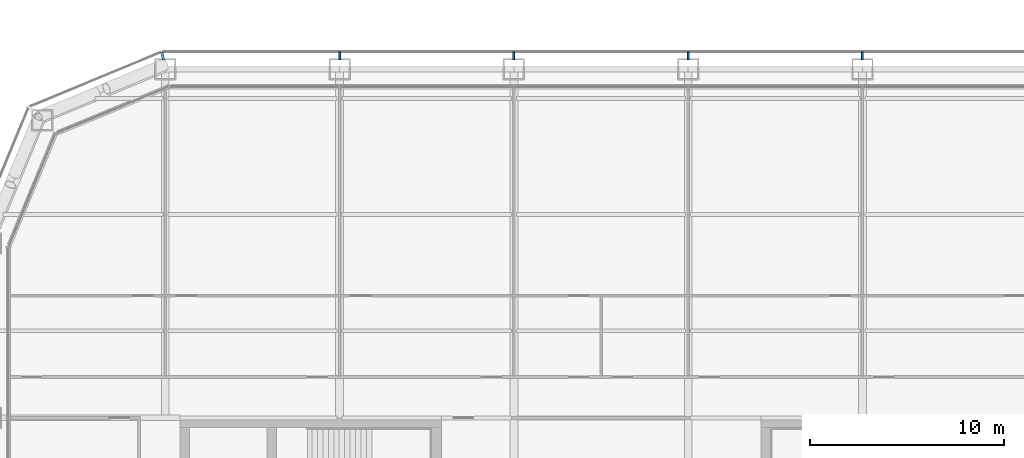
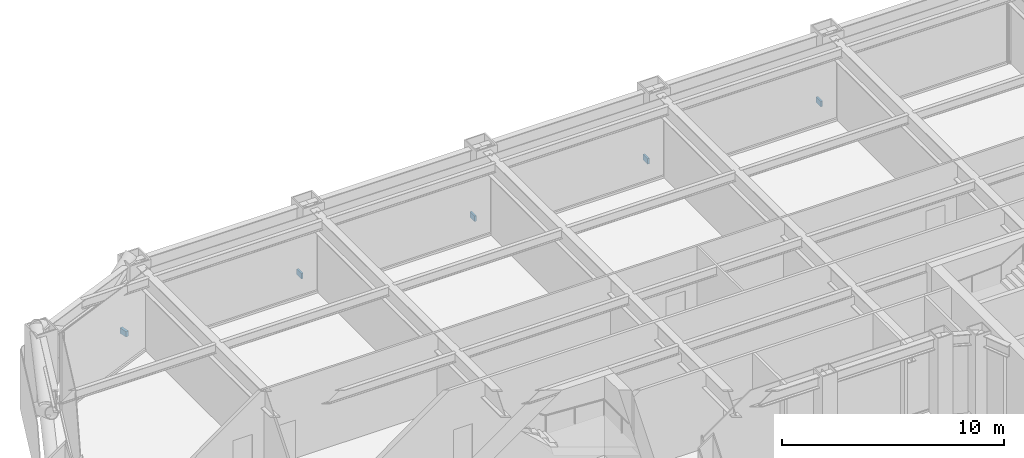
# One storey, part 23 of 30: 5 discrete accessories.
"""IFC4 building model written with IfcOpenShell, lengths in metres."""

from ifc_helpers import new_model, si_unit, direction, frame, origin, origin_2d, place, context, subcontext, project, spatial, rectangle, extrude, material, type_object, element, save


model = new_model("IFC4")

# Units and contexts
model_context = context("Model", 3, precision=1e-05, world=origin(), true_north=direction((0.0, 1.0)))
body_context = subcontext(model_context, "Body", "Model", "MODEL_VIEW")
ifc_project = project(units=[si_unit("LENGTHUNIT", "METRE"), si_unit("AREAUNIT", "SQUARE_METRE"), si_unit("VOLUMEUNIT", "CUBIC_METRE"), si_unit("PLANEANGLEUNIT", "RADIAN"), si_unit("MASSUNIT", "GRAM", prefix="KILO")], contexts=[model_context])

# Site, building, storey
site_placement = place(None, origin())
site = spatial("IfcSite", under=ifc_project, at=site_placement, CompositionType="ELEMENT")
building_placement = place(site_placement, origin())
building = spatial("IfcBuilding", under=site, at=building_placement, Name="Siwar Civic Tower", CompositionType="ELEMENT")
storey_placement = place(building_placement, frame((0.0, 0.0, 26.699951171875)))
storey = spatial("IfcBuildingStorey", under=building, at=storey_placement, Name="L05", CompositionType="ELEMENT", Elevation=26.699951171875)

# Discrete accessories
ifc_material = material(Name="Stainless steel 316", Category="steel")
discrete_accessory_type = type_object("IfcDiscreteAccessoryType", Name="ENV-BRACKET", PredefinedType="BRACKET", material=ifc_material)
for number, where, z_axis, x_axis, name in (
    (1, (13.5, 32.18994140625, -0.14990234375), (0.0, 0.0, 1.0), (0.0, 1.0, 0.0), "Bracket outer skin joint N-01"),
    (2, (4.5, 32.18994140625, -0.14990234375), (0.0, 0.0, 1.0), (0.0, 1.0, 0.0), "Bracket outer skin joint N-02"),
    (3, (-4.5, 32.18994140625, -0.14990234375), (0.0, 0.0, 1.0), (0.0, 1.0, 0.0), "Bracket outer skin joint N-03"),
    (4, (-13.5, 32.18994140625, -0.14990234375), (0.0, 0.0, 1.0), (0.0, 1.0, 0.0), "Bracket outer skin joint N-04"),
):
    element("IfcDiscreteAccessory", number, at=place(storey_placement, frame(where, z_axis=z_axis, x_axis=x_axis)), inside=storey, type_object=discrete_accessory_type, Name=name, PredefinedType="BRACKET", context=body_context, shape_type="SweptSolid", body=[
        extrude(rectangle(XDim=0.419921875, YDim=0.10009765625, at=origin_2d()), origin(), (0.0, 0.0, 1.0), 0.300048828125),
    ])
discrete_accessory_placement = place(storey_placement, frame((-22.63720703125, 32.190185546875, -0.14990234375), z_axis=(0.0, 0.0, 1.0), x_axis=(-0.195090322016, 0.980785280403, 0.0)))
element("IfcDiscreteAccessory", 5, at=discrete_accessory_placement, inside=storey, type_object=discrete_accessory_type, Name="Bracket outer skin joint V07", PredefinedType="BRACKET", context=body_context, shape_type="SweptSolid", body=[
    extrude(rectangle(XDim=0.427734375, YDim=0.13720703125, at=origin_2d()), origin(), (0.0, 0.0, 1.0), 0.300048828125),
])

save(model, "model.ifc")
